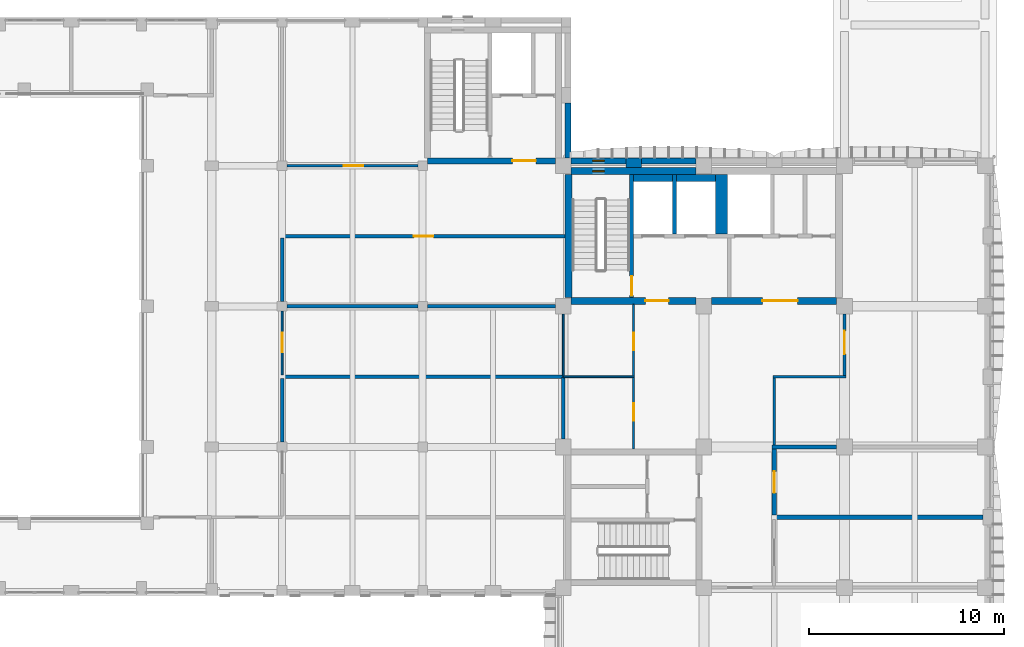
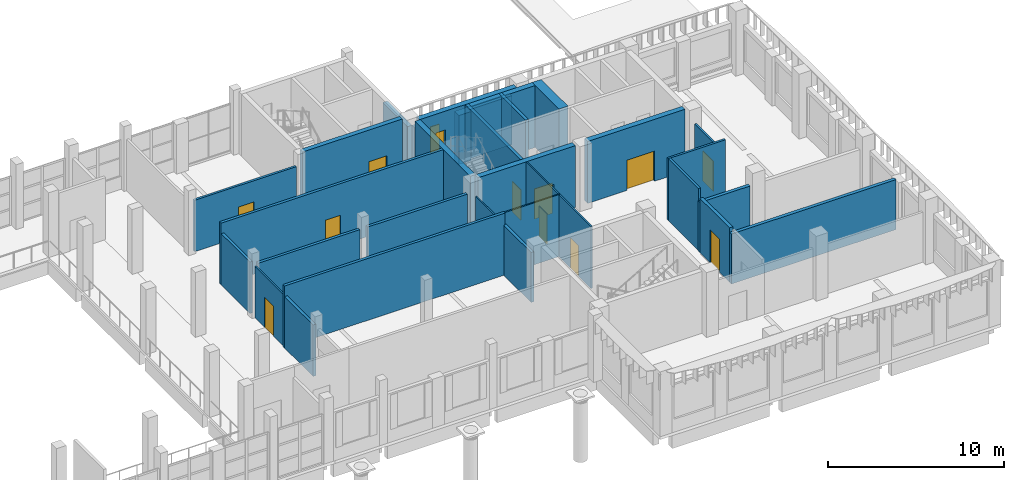
# One storey, part 23 of 59: 33 walls, 11 doors, 2 windows, 13 openings.
"""IFC4 building model written with IfcOpenShell, lengths in metres."""

from ifc_helpers import new_model, si_unit, direction, frame, frame_2d, origin, place, context, subcontext, project, spatial, rectangle, extrude, material, layer, layer_set, type_object, element, fill, save


model = new_model("IFC4")

# Units and contexts
model_context = context("Model", 3, precision=1e-05, world=origin(), true_north=direction((0.0, 1.0)))
body_context = subcontext(model_context, "Body", "Model", "MODEL_VIEW")
ifc_project = project(units=[si_unit("LENGTHUNIT", "METRE"), si_unit("AREAUNIT", "SQUARE_METRE"), si_unit("VOLUMEUNIT", "CUBIC_METRE"), si_unit("PLANEANGLEUNIT", "RADIAN"), si_unit("MASSUNIT", "GRAM", prefix="KILO")], contexts=[model_context])

# Site, building, storey
site_placement = place(None, origin())
site = spatial("IfcSite", under=ifc_project, at=site_placement, CompositionType="ELEMENT")
building_placement = place(site_placement, origin())
building = spatial("IfcBuilding", under=site, at=building_placement, Name="Ussher Court Research Institute", CompositionType="ELEMENT")
storey_placement = place(building_placement, frame((0.0, 0.0, 5.39990234375)))
storey = spatial("IfcBuildingStorey", under=building, at=storey_placement, Name="L01", CompositionType="ELEMENT", Elevation=5.39990234375)

# Walls
ifc_material_1 = material(Name="Plasterboard on steel studs with mineral wool", Category="steel")
ifc_layer_1 = layer(ifc_material_1, 0.179931640625)
ifc_layer_set_1 = layer_set([ifc_layer_1], Name="Plasterboard on steel studs with mineral wool")
wall_type_1 = type_object("IfcWallType", Name="Acoustic twin-stud partition 180", PredefinedType="PARTITIONING", material=ifc_layer_set_1)
wall_1_placement = place(storey_placement, frame((67.7099609375, 22.0, 0.0), z_axis=(0.0, 0.0, 1.0), x_axis=(1.0, 0.0, 0.0)))
element("IfcWall", 1, at=wall_1_placement, inside=storey, type_object=wall_type_1, Name="Partition", PredefinedType="PARTITIONING", context=body_context, shape_type="SweptSolid", body=[
    extrude(rectangle(XDim=14.489990234375, YDim=0.179931640625, at=frame_2d((7.2451171875, 0.0))), origin(), (0.0, 0.0, 1.0), 4.300048828125),
])
wall_2_placement = place(storey_placement, frame((68.050048828125, 25.60009765625, 0.0), z_axis=(0.0, 0.0, 1.0), x_axis=(1.0, 0.0, 0.0)))
element("IfcWall", 2, at=wall_2_placement, inside=storey, type_object=wall_type_1, Name="Partition", PredefinedType="PARTITIONING", context=body_context, shape_type="SweptSolid", body=[
    extrude(rectangle(XDim=6.699951171875, YDim=0.179931640625, at=frame_2d((3.35009765625, 0.0))), origin(), (0.0, 0.0, 1.0), 3.570068359375),
])
wall_3_placement = place(storey_placement, frame((75.25, 25.60009765625, 0.0), z_axis=(0.0, 0.0, 1.0), x_axis=(1.0, 0.0, 0.0)))
element("IfcWall", 3, at=wall_3_placement, inside=storey, type_object=wall_type_1, Name="Partition", PredefinedType="PARTITIONING", context=body_context, shape_type="SweptSolid", body=[
    extrude(rectangle(XDim=6.550048828125, YDim=0.179931640625, at=frame_2d((3.27490234375, 0.0))), origin(), (0.0, 0.0, 1.0), 3.570068359375),
])

# Wall, opening, door
wall_4_placement = place(storey_placement, frame((82.300048828125, 29.199951171875, 0.0), z_axis=(0.0, 0.0, 1.0), x_axis=(-1.0, 0.0, 0.0)))
wall_4 = element("IfcWall", 4, at=wall_4_placement, inside=storey, type_object=wall_type_1, Name="Partition", PredefinedType="PARTITIONING", context=body_context, shape_type="SweptSolid", body=[
    extrude(rectangle(XDim=14.590087890625, YDim=0.179931640625, at=frame_2d((7.294921875, 0.0))), origin(), (0.0, 0.0, 1.0), 4.300048828125),
])
opening_1_placement = place(wall_4_placement, frame((6.75, 0.0, 0.0)))
opening_1 = element("IfcOpeningElement", 5, at=opening_1_placement, cuts=wall_4, Name="Opening D01049", PredefinedType="OPENING", context=body_context, shape_type="SweptSolid", body=[
    extrude(rectangle(XDim=1.0, YDim=2.10009765625, at=frame_2d((0.5, 1.050048828125))), frame((0.0, 0.10009765625, 0.0), z_axis=(0.0, -1.0, 0.0), x_axis=(1.0, 0.0, 0.0)), (0.0, 0.0, 1.0), 0.199951171875),
])
ifc_material_2 = material(Name="Veneered timber door", Category="wood")
door_type_1 = type_object("IfcDoorType", Name="Meeting room door 1000x2100", OperationType="NOTDEFINED", PredefinedType="DOOR", material=ifc_material_2)
door_1_placement = place(opening_1_placement, origin())
door_1 = element("IfcDoor", 6, at=door_1_placement, inside=storey, type_object=door_type_1, Name="Door D01049", OperationType="SINGLE_SWING_LEFT", OverallHeight=2.10009765625, OverallWidth=1.0, PredefinedType="DOOR", context=body_context, shape_type="SweptSolid", body=[
    extrude(rectangle(XDim=1.0, YDim=2.10009765625, at=frame_2d((0.5, 1.050048828125))), frame((0.0, 0.02490234375, 0.0), z_axis=(0.0, -1.0, 0.0), x_axis=(1.0, 0.0, 0.0)), (0.0, 0.0, 1.0), 0.050048828125),
])
fill(opening_1, door_1)

# Walls
for number, where, z_axis, x_axis, name in (
    (7, (67.800048828125, 18.64990234375, 0.0), (0.0, 0.0, 1.0), (0.0, 1.0, 0.0), "Partition"),
    (8, (67.800048828125, 25.85009765625, 0.0), (0.0, 0.0, 1.0), (0.0, 1.0, 0.0), "Partition"),
):
    element("IfcWall", number, at=place(storey_placement, frame(where, z_axis=z_axis, x_axis=x_axis)), inside=storey, type_object=wall_type_1, Name=name, PredefinedType="PARTITIONING", context=body_context, shape_type="SweptSolid", body=[
        extrude(rectangle(XDim=3.260009765625, YDim=0.179931640625, at=frame_2d((1.6298828125, 0.0))), origin(), (0.0, 0.0, 1.0), 3.570068359375),
    ])
wall_5_placement = place(storey_placement, frame((82.199951171875, 18.800048828125, 0.0), z_axis=(0.0, 0.0, 1.0), x_axis=(0.0, 1.0, 0.0)))
element("IfcWall", 9, at=wall_5_placement, inside=storey, type_object=wall_type_1, Name="Partition", PredefinedType="PARTITIONING", context=body_context, shape_type="SweptSolid", body=[
    extrude(rectangle(XDim=3.155029296875, YDim=0.179931640625, at=frame_2d((1.57763671875, 0.0))), origin(), (0.0, 0.0, 1.0), 3.47021484375),
])
ifc_material_3 = material(Name="Limestone facing on blockwork", Category="masonry")
ifc_layer_2 = layer(ifc_material_3, 0.300048828125)
ifc_layer_set_2 = layer_set([ifc_layer_2], Name="Limestone facing on blockwork")
wall_type_2 = type_object("IfcWallType", Name="External wall 300 stair enclosure", PredefinedType="SOLIDWALL", material=ifc_layer_set_2)
wall_6_placement = place(storey_placement, frame((82.449951171875, 36.0, 0.0), z_axis=(0.0, 0.0, 1.0), x_axis=(0.0, -1.0, 0.0)))
element("IfcWall", 10, at=wall_6_placement, inside=storey, type_object=wall_type_2, Name="External wall EW5 L01", PredefinedType="SOLIDWALL", context=body_context, shape_type="SweptSolid", body=[
    extrude(rectangle(XDim=2.800048828125, YDim=0.300048828125, at=frame_2d((1.39990234375, 0.0))), origin(), (0.0, 0.0, 1.0), 3.400146484375),
])

# Wall, opening, window
wall_7_placement = place(storey_placement, frame((82.60009765625, 33.050048828125, 0.0), z_axis=(0.0, 0.0, 1.0), x_axis=(1.0, 0.0, 0.0)))
wall_7 = element("IfcWall", 11, at=wall_7_placement, inside=storey, type_object=wall_type_2, Name="External wall EW5 L01", PredefinedType="SOLIDWALL", context=body_context, shape_type="SweptSolid", body=[
    extrude(rectangle(XDim=2.7998046875, YDim=0.300048828125, at=frame_2d((1.39990234375, 0.0))), origin(), (0.0, 0.0, 1.0), 3.400146484375),
])
opening_2_placement = place(wall_7_placement, frame((1.10009765625, 0.0, 1.199951171875)))
opening_2 = element("IfcOpeningElement", 12, at=opening_2_placement, cuts=wall_7, Name="Opening W25", PredefinedType="OPENING", context=body_context, shape_type="SweptSolid", body=[
    extrude(rectangle(XDim=0.60009765625, YDim=1.800048828125, at=frame_2d((0.300048828125, 0.89990234375))), frame((0.0, 0.16015625, 0.0), z_axis=(0.0, -1.0, 0.0), x_axis=(1.0, 0.0, 0.0)), (0.0, 0.0, 1.0), 0.320068359375),
])
ifc_material_4 = material(Name="Bronze anodised aluminium with double glazing", Category="aluminium")
window_type = type_object("IfcWindowType", Name="Stair light slot window 600x1800 fire-resisting glazing", PartitioningType="SINGLE_PANEL", PredefinedType="WINDOW", material=ifc_material_4)
window_1_placement = place(opening_2_placement, origin())
window_1 = element("IfcWindow", 13, at=window_1_placement, inside=storey, type_object=window_type, Name="Window W25 L01", OverallHeight=1.800048828125, OverallWidth=0.60009765625, PartitioningType="SINGLE_PANEL", PredefinedType="WINDOW", context=body_context, shape_type="SweptSolid", body=[
    extrude(rectangle(XDim=0.60009765625, YDim=1.800048828125, at=frame_2d((0.300048828125, 0.89990234375))), frame((0.0, 0.030029296875, 0.0), z_axis=(0.0, -1.0, 0.0), x_axis=(1.0, 0.0, 0.0)), (0.0, 0.0, 1.0), 0.06005859375),
])
fill(opening_2, window_1)

# Wall
wall_8_placement = place(storey_placement, frame((86.199951171875, 33.050048828125, 0.0), z_axis=(0.0, 0.0, 1.0), x_axis=(1.0, 0.0, 0.0)))
element("IfcWall", 14, at=wall_8_placement, inside=storey, type_object=wall_type_2, Name="External wall EW5 L01", PredefinedType="SOLIDWALL", context=body_context, shape_type="SweptSolid", body=[
    extrude(rectangle(XDim=2.800048828125, YDim=0.300048828125, at=frame_2d((1.39990234375, 0.0))), origin(), (0.0, 0.0, 1.0), 3.400146484375),
])

# Wall, opening, door
ifc_material_5 = material(Name="Plastered blockwork", Category="masonry")
ifc_layer_3 = layer(ifc_material_5, 0.14990234375)
ifc_layer_set_3 = layer_set([ifc_layer_3], Name="Plastered blockwork")
wall_type_3 = type_object("IfcWallType", Name="Fire partition blockwork 150 EI 60", PredefinedType="PARTITIONING", material=ifc_layer_set_3)
wall_9_placement = place(storey_placement, frame((68.050048828125, 32.800048828125, 0.0), z_axis=(0.0, 0.0, 1.0), x_axis=(1.0, 0.0, 0.0)))
wall_9 = element("IfcWall", 15, at=wall_9_placement, inside=storey, type_object=wall_type_3, Name="Fire partition", PredefinedType="PARTITIONING", context=body_context, shape_type="SweptSolid", body=[
    extrude(rectangle(XDim=6.699951171875, YDim=0.14990234375, at=frame_2d((3.35009765625, 0.0))), origin(), (0.0, 0.0, 1.0), 3.570068359375),
])
opening_3_placement = place(wall_9_placement, frame((2.89990234375, 0.0, 0.0)))
opening_3 = element("IfcOpeningElement", 16, at=opening_3_placement, cuts=wall_9, Name="Opening D01047", PredefinedType="OPENING", context=body_context, shape_type="SweptSolid", body=[
    extrude(rectangle(XDim=1.0, YDim=2.10009765625, at=frame_2d((0.5, 1.050048828125))), frame((0.0, 0.0849609375, 0.0), z_axis=(0.0, -1.0, 0.0), x_axis=(1.0, 0.0, 0.0)), (0.0, 0.0, 1.0), 0.169921875),
])
ifc_material_6 = material(Name="Painted steel faced fire door", Category="steel")
door_type_2 = type_object("IfcDoorType", Name="Store door 1000x2100 FD60", OperationType="NOTDEFINED", PredefinedType="DOOR", material=ifc_material_6)
door_2_placement = place(opening_3_placement, origin())
door_2 = element("IfcDoor", 17, at=door_2_placement, inside=storey, type_object=door_type_2, Name="Door D01047", OperationType="SINGLE_SWING_RIGHT", OverallHeight=2.10009765625, OverallWidth=1.0, PredefinedType="DOOR", context=body_context, shape_type="SweptSolid", body=[
    extrude(rectangle(XDim=1.0, YDim=2.10009765625, at=frame_2d((0.5, 1.050048828125))), frame((0.0, 0.02490234375, 0.0), z_axis=(0.0, -1.0, 0.0), x_axis=(1.0, 0.0, 0.0)), (0.0, 0.0, 1.0), 0.050048828125),
])
fill(opening_3, door_2)

# Walls
ifc_material_7 = material(Name="Dense concrete blockwork", Category="masonry")
ifc_layer_4 = layer(ifc_material_7, 0.219970703125)
ifc_layer_set_4 = layer_set([ifc_layer_4], Name="Dense concrete blockwork")
wall_type_4 = type_object("IfcWallType", Name="Hazardous store dense block 220 EI 60", PredefinedType="PARTITIONING", material=ifc_layer_set_4)
wall_10_placement = place(storey_placement, frame((92.889892578125, 14.800048828125, 0.0), z_axis=(0.0, 0.0, 1.0), x_axis=(1.0, 0.0, 0.0)))
element("IfcWall", 18, at=wall_10_placement, inside=storey, type_object=wall_type_4, Name="Fire partition", PredefinedType="PARTITIONING", context=body_context, shape_type="SweptSolid", body=[
    extrude(rectangle(XDim=10.81005859375, YDim=0.219970703125, at=frame_2d((5.405029296875, 0.0))), origin(), (0.0, 0.0, 1.0), 3.47021484375),
])
wall_11_placement = place(storey_placement, frame((92.889892578125, 18.39990234375, 0.0), z_axis=(0.0, 0.0, 1.0), x_axis=(1.0, 0.0, 0.0)))
element("IfcWall", 19, at=wall_11_placement, inside=storey, type_object=wall_type_4, Name="Fire partition", PredefinedType="PARTITIONING", context=body_context, shape_type="SweptSolid", body=[
    extrude(rectangle(XDim=3.31005859375, YDim=0.219970703125, at=frame_2d((1.655029296875, 0.0))), origin(), (0.0, 0.0, 1.0), 3.47021484375),
])

# Wall, opening, door
wall_12_placement = place(storey_placement, frame((93.0, 18.2900390625, 0.0), z_axis=(0.0, 0.0, 1.0), x_axis=(0.0, -1.0, 0.0)))
wall_12 = element("IfcWall", 20, at=wall_12_placement, inside=storey, type_object=wall_type_4, Name="Fire partition", PredefinedType="PARTITIONING", context=body_context, shape_type="SweptSolid", body=[
    extrude(rectangle(XDim=3.380126953125, YDim=0.219970703125, at=frame_2d((1.68994140625, 0.0))), origin(), (0.0, 0.0, 1.0), 3.77001953125),
])
opening_4_placement = place(wall_12_placement, frame((1.139892578125, 0.0, 0.0)))
opening_4 = element("IfcOpeningElement", 21, at=opening_4_placement, cuts=wall_12, Name="Opening D01072", PredefinedType="OPENING", context=body_context, shape_type="SweptSolid", body=[
    extrude(rectangle(XDim=1.10009765625, YDim=2.300048828125, at=frame_2d((0.550048828125, 1.14990234375))), frame((0.0, 0.1201171875, 0.0), z_axis=(0.0, -1.0, 0.0), x_axis=(1.0, 0.0, 0.0)), (0.0, 0.0, 1.0), 0.239990234375),
])
ifc_material_8 = material(Name="Painted steel faced fire door", Category="steel")
door_type_3 = type_object("IfcDoorType", Name="Hazardous store door 1100x2300 FD60", OperationType="NOTDEFINED", PredefinedType="DOOR", material=ifc_material_8)
door_3_placement = place(opening_4_placement, origin())
door_3 = element("IfcDoor", 22, at=door_3_placement, inside=storey, type_object=door_type_3, Name="Door D01072", OperationType="SINGLE_SWING_LEFT", OverallHeight=2.300048828125, OverallWidth=1.10009765625, PredefinedType="DOOR", context=body_context, shape_type="SweptSolid", body=[
    extrude(rectangle(XDim=1.10009765625, YDim=2.300048828125, at=frame_2d((0.550048828125, 1.14990234375))), frame((0.0, 0.02490234375, 0.0), z_axis=(0.0, -1.0, 0.0), x_axis=(1.0, 0.0, 0.0)), (0.0, 0.0, 1.0), 0.050048828125),
])
fill(opening_4, door_3)

# Walls
ifc_material_9 = material(Name="Plastered blockwork", Category="masonry")
ifc_layer_5 = layer(ifc_material_9, 0.139892578125)
ifc_layer_set_5 = layer_set([ifc_layer_5], Name="Plastered blockwork")
wall_type_5 = type_object("IfcWallType", Name="Laboratory blockwork partition 140", PredefinedType="PARTITIONING", material=ifc_layer_set_5)
wall_13_placement = place(storey_placement, frame((92.929931640625, 22.0, 0.0), z_axis=(0.0, 0.0, 1.0), x_axis=(1.0, 0.0, 0.0)))
element("IfcWall", 23, at=wall_13_placement, inside=storey, type_object=wall_type_5, Name="Partition", PredefinedType="PARTITIONING", context=body_context, shape_type="SweptSolid", body=[
    extrude(rectangle(XDim=3.739990234375, YDim=0.139892578125, at=frame_2d((1.8701171875, 0.0))), origin(), (0.0, 0.0, 1.0), 4.300048828125),
])
wall_14_placement = place(storey_placement, frame((93.0, 18.510009765625, 0.0), z_axis=(0.0, 0.0, 1.0), x_axis=(0.0, 1.0, 0.0)))
element("IfcWall", 24, at=wall_14_placement, inside=storey, type_object=wall_type_5, Name="Partition", PredefinedType="PARTITIONING", context=body_context, shape_type="SweptSolid", body=[
    extrude(rectangle(XDim=3.419921875, YDim=0.139892578125, at=frame_2d((1.7099609375, 0.0))), origin(), (0.0, 0.0, 1.0), 4.300048828125),
])

# Wall, opening, door
wall_15_placement = place(storey_placement, frame((96.60009765625, 25.199951171875, 0.0), z_axis=(0.0, 0.0, 1.0), x_axis=(0.0, -1.0, 0.0)))
wall_15 = element("IfcWall", 25, at=wall_15_placement, inside=storey, type_object=wall_type_5, Name="Partition", PredefinedType="PARTITIONING", context=body_context, shape_type="SweptSolid", body=[
    extrude(rectangle(XDim=3.1298828125, YDim=0.139892578125, at=frame_2d((1.56494140625, 0.0))), origin(), (0.0, 0.0, 1.0), 3.47021484375),
])
opening_5_placement = place(wall_15_placement, frame((0.85009765625, 0.0, 0.0)))
opening_5 = element("IfcOpeningElement", 26, at=opening_5_placement, cuts=wall_15, Name="Opening D01077", PredefinedType="OPENING", context=body_context, shape_type="SweptSolid", body=[
    extrude(rectangle(XDim=1.199951171875, YDim=2.10009765625, at=frame_2d((0.60009765625, 1.050048828125))), frame((0.0, 0.080078125, 0.0), z_axis=(0.0, -1.0, 0.0), x_axis=(1.0, 0.0, 0.0)), (0.0, 0.0, 1.0), 0.159912109375),
])
ifc_material_10 = material(Name="Veneered timber door", Category="wood")
door_type_4 = type_object("IfcDoorType", Name="Laboratory door 1200x2100", OperationType="NOTDEFINED", PredefinedType="DOOR", material=ifc_material_10)
door_4_placement = place(opening_5_placement, origin())
door_4 = element("IfcDoor", 27, at=door_4_placement, inside=storey, type_object=door_type_4, Name="Door D01077", OperationType="SINGLE_SWING_LEFT", OverallHeight=2.10009765625, OverallWidth=1.199951171875, PredefinedType="DOOR", context=body_context, shape_type="SweptSolid", body=[
    extrude(rectangle(XDim=1.199951171875, YDim=2.10009765625, at=frame_2d((0.60009765625, 1.050048828125))), frame((0.0, 0.02490234375, 0.0), z_axis=(0.0, -1.0, 0.0), x_axis=(1.0, 0.0, 0.0)), (0.0, 0.0, 1.0), 0.050048828125),
])
fill(opening_5, door_4)

ifc_material_11 = material(Name="Plastered blockwork", Category="masonry")
ifc_layer_6 = layer(ifc_material_11, 0.10009765625)
ifc_layer_set_6 = layer_set([ifc_layer_6], Name="Plastered blockwork")
wall_type_6 = type_object("IfcWallType", Name="Partition plastered blockwork 100", PredefinedType="PARTITIONING", material=ifc_layer_set_6)
wall_16_placement = place(storey_placement, frame((67.800048828125, 25.35009765625, 0.0), z_axis=(0.0, 0.0, 1.0), x_axis=(0.0, -1.0, 0.0)))
wall_16 = element("IfcWall", 28, at=wall_16_placement, inside=storey, type_object=wall_type_6, Name="Partition", PredefinedType="PARTITIONING", context=body_context, shape_type="SweptSolid", body=[
    extrude(rectangle(XDim=3.260009765625, YDim=0.10009765625, at=frame_2d((1.6298828125, 0.0))), origin(), (0.0, 0.0, 1.0), 3.570068359375),
])
opening_6_placement = place(wall_16_placement, frame((1.10009765625, 0.0, 0.0)))
opening_6 = element("IfcOpeningElement", 29, at=opening_6_placement, cuts=wall_16, Name="Opening D01045", PredefinedType="OPENING", context=body_context, shape_type="SweptSolid", body=[
    extrude(rectangle(XDim=1.0, YDim=2.10009765625, at=frame_2d((0.5, 1.050048828125))), frame((0.0, 0.06005859375, 0.0), z_axis=(0.0, -1.0, 0.0), x_axis=(1.0, 0.0, 0.0)), (0.0, 0.0, 1.0), 0.1201171875),
])
ifc_material_12 = material(Name="Veneered timber door", Category="wood")
door_type_5 = type_object("IfcDoorType", Name="Office door 1000x2100", OperationType="NOTDEFINED", PredefinedType="DOOR", material=ifc_material_12)
door_5_placement = place(opening_6_placement, origin())
door_5 = element("IfcDoor", 30, at=door_5_placement, inside=storey, type_object=door_type_5, Name="Door D01045", OperationType="SINGLE_SWING_LEFT", OverallHeight=2.10009765625, OverallWidth=1.0, PredefinedType="DOOR", context=body_context, shape_type="SweptSolid", body=[
    extrude(rectangle(XDim=1.0, YDim=2.10009765625, at=frame_2d((0.5, 1.050048828125))), frame((0.0, 0.02490234375, 0.0), z_axis=(0.0, -1.0, 0.0), x_axis=(1.0, 0.0, 0.0)), (0.0, 0.0, 1.0), 0.050048828125),
])
fill(opening_6, door_5)

# Wall
ifc_material_13 = material(Name="Blockwork with cream render", Category="masonry")
ifc_layer_7 = layer(ifc_material_13, 0.5)
ifc_layer_set_7 = layer_set([ifc_layer_7], Name="Blockwork with cream render")
wall_type_7 = type_object("IfcWallType", Name="Pier 800x500 cream render", PredefinedType="SOLIDWALL", material=ifc_layer_set_7)
wall_17_placement = place(storey_placement, frame((85.39990234375, 32.949951171875, 0.0), z_axis=(0.0, 0.0, 1.0), x_axis=(1.0, 0.0, 0.0)))
element("IfcWall", 31, at=wall_17_placement, inside=storey, type_object=wall_type_7, Name="Pier PR1 L01", PredefinedType="SOLIDWALL", context=body_context, shape_type="SweptSolid", body=[
    extrude(rectangle(XDim=0.800048828125, YDim=0.5, at=frame_2d((0.39990234375, 0.0))), origin(), (0.0, 0.0, 1.0), 3.400146484375),
])

# Wall, opening, door
ifc_material_14 = material(Name="Concrete C35/45", Category="concrete")
ifc_layer_8 = layer(ifc_material_14, 0.199951171875)
ifc_layer_set_8 = layer_set([ifc_layer_8], Name="Concrete C35/45")
wall_type_8 = type_object("IfcWallType", Name="RC core wall 200", PredefinedType="SHEAR", material=ifc_layer_set_8)
wall_18_placement = place(storey_placement, frame((85.699951171875, 26.050048828125, 0.0), z_axis=(0.0, 0.0, 1.0), x_axis=(0.0, 1.0, 0.0)))
wall_18 = element("IfcWall", 32, at=wall_18_placement, inside=storey, type_object=wall_type_8, Name="Core wall T1", PredefinedType="SHEAR", context=body_context, shape_type="SweptSolid", body=[
    extrude(rectangle(XDim=6.300048828125, YDim=0.199951171875, at=frame_2d((3.14990234375, 0.0))), origin(), (0.0, 0.0, 1.0), 4.300048828125),
])
opening_7_placement = place(wall_18_placement, frame((0.10009765625, 0.0, 0.0)))
opening_7 = element("IfcOpeningElement", 33, at=opening_7_placement, cuts=wall_18, Name="Opening D01059", PredefinedType="OPENING", context=body_context, shape_type="SweptSolid", body=[
    extrude(rectangle(XDim=1.0, YDim=2.10009765625, at=frame_2d((0.5, 1.050048828125))), frame((0.0, 0.10986328125, 0.0), z_axis=(0.0, -1.0, 0.0), x_axis=(1.0, 0.0, 0.0)), (0.0, 0.0, 1.0), 0.219970703125),
])
ifc_material_15 = material(Name="Painted steel faced fire door", Category="steel")
door_type_6 = type_object("IfcDoorType", Name="Fire door 1000x2100 FD60", OperationType="NOTDEFINED", PredefinedType="DOOR", material=ifc_material_15)
door_6_placement = place(opening_7_placement, origin())
door_6 = element("IfcDoor", 34, at=door_6_placement, inside=storey, type_object=door_type_6, Name="Door D01059", OperationType="SINGLE_SWING_LEFT", OverallHeight=2.10009765625, OverallWidth=1.0, PredefinedType="DOOR", context=body_context, shape_type="SweptSolid", body=[
    extrude(rectangle(XDim=1.0, YDim=2.10009765625, at=frame_2d((0.5, 1.050048828125))), frame((0.0, 0.02490234375, 0.0), z_axis=(0.0, -1.0, 0.0), x_axis=(1.0, 0.0, 0.0)), (0.0, 0.0, 1.0), 0.050048828125),
])
fill(opening_7, door_6)

# Wall
wall_19_placement = place(storey_placement, frame((87.89990234375, 29.300048828125, 0.0), z_axis=(0.0, 0.0, 1.0), x_axis=(0.0, 1.0, 0.0)))
element("IfcWall", 35, at=wall_19_placement, inside=storey, type_object=wall_type_8, Name="Core wall T1", PredefinedType="SHEAR", context=body_context, shape_type="SweptSolid", body=[
    extrude(rectangle(XDim=3.050048828125, YDim=0.199951171875, at=frame_2d((1.52490234375, 0.0))), origin(), (0.0, 0.0, 1.0), 4.300048828125),
])

# Wall, opening, door
ifc_material_16 = material(Name="Concrete C35/45", Category="concrete")
ifc_layer_9 = layer(ifc_material_16, 0.300048828125)
ifc_layer_set_9 = layer_set([ifc_layer_9], Name="Concrete C35/45")
wall_type_9 = type_object("IfcWallType", Name="RC core wall 300", PredefinedType="SHEAR", material=ifc_layer_set_9)
wall_20_placement = place(storey_placement, frame((75.25, 33.050048828125, 0.0), z_axis=(0.0, 0.0, 1.0), x_axis=(1.0, 0.0, 0.0)))
wall_20 = element("IfcWall", 36, at=wall_20_placement, inside=storey, type_object=wall_type_9, Name="Core wall E1", PredefinedType="SHEAR", context=body_context, shape_type="SweptSolid", body=[
    extrude(rectangle(XDim=6.550048828125, YDim=0.300048828125, at=frame_2d((3.27490234375, 0.0))), origin(), (0.0, 0.0, 1.0), 4.300048828125),
])
opening_8_placement = place(wall_20_placement, frame((4.35009765625, 0.0, 0.0)))
opening_8 = element("IfcOpeningElement", 37, at=opening_8_placement, cuts=wall_20, Name="Opening D01054", PredefinedType="OPENING", context=body_context, shape_type="SweptSolid", body=[
    extrude(rectangle(XDim=1.199951171875, YDim=2.10009765625, at=frame_2d((0.60009765625, 1.050048828125))), frame((0.0, 0.16015625, 0.0), z_axis=(0.0, -1.0, 0.0), x_axis=(1.0, 0.0, 0.0)), (0.0, 0.0, 1.0), 0.320068359375),
])
ifc_material_17 = material(Name="Painted steel faced fire door", Category="steel")
door_type_7 = type_object("IfcDoorType", Name="Fire door 1200x2100 FD60", OperationType="NOTDEFINED", PredefinedType="DOOR", material=ifc_material_17)
door_7_placement = place(opening_8_placement, origin())
door_7 = element("IfcDoor", 38, at=door_7_placement, inside=storey, type_object=door_type_7, Name="Door D01054", OperationType="SINGLE_SWING_RIGHT", OverallHeight=2.10009765625, OverallWidth=1.199951171875, PredefinedType="DOOR", context=body_context, shape_type="SweptSolid", body=[
    extrude(rectangle(XDim=1.199951171875, YDim=2.10009765625, at=frame_2d((0.60009765625, 1.050048828125))), frame((0.0, 0.02490234375, 0.0), z_axis=(0.0, -1.0, 0.0), x_axis=(1.0, 0.0, 0.0)), (0.0, 0.0, 1.0), 0.050048828125),
])
fill(opening_8, door_7)

ifc_material_18 = material(Name="Concrete C35/45", Category="concrete")
ifc_layer_10 = layer(ifc_material_18, 0.35009765625)
ifc_layer_set_10 = layer_set([ifc_layer_10], Name="Concrete C35/45")
wall_type_10 = type_object("IfcWallType", Name="RC core wall 350", PredefinedType="SHEAR", material=ifc_layer_set_10)
wall_21_placement = place(storey_placement, frame((82.60009765625, 25.875, 0.0), z_axis=(0.0, 0.0, 1.0), x_axis=(1.0, 0.0, 0.0)))
wall_21 = element("IfcWall", 39, at=wall_21_placement, inside=storey, type_object=wall_type_10, Name="Core wall T1", PredefinedType="SHEAR", context=body_context, shape_type="SweptSolid", body=[
    extrude(rectangle(XDim=6.39990234375, YDim=0.35009765625, at=frame_2d((3.199951171875, 0.0))), origin(), (0.0, 0.0, 1.0), 4.300048828125),
])
opening_9_placement = place(wall_21_placement, frame((3.800048828125, 0.0, 0.0)))
opening_9 = element("IfcOpeningElement", 40, at=opening_9_placement, cuts=wall_21, Name="Opening D01064", PredefinedType="OPENING", context=body_context, shape_type="SweptSolid", body=[
    extrude(rectangle(XDim=1.199951171875, YDim=2.10009765625, at=frame_2d((0.60009765625, 1.050048828125))), frame((0.0, 0.18505859375, 0.0), z_axis=(0.0, -1.0, 0.0), x_axis=(1.0, 0.0, 0.0)), (0.0, 0.0, 1.0), 0.3701171875),
])
door_8_placement = place(opening_9_placement, origin())
door_8 = element("IfcDoor", 41, at=door_8_placement, inside=storey, type_object=door_type_7, Name="Door D01064", OperationType="SINGLE_SWING_RIGHT", OverallHeight=2.10009765625, OverallWidth=1.199951171875, PredefinedType="DOOR", context=body_context, shape_type="SweptSolid", body=[
    extrude(rectangle(XDim=1.199951171875, YDim=2.10009765625, at=frame_2d((0.60009765625, 1.050048828125))), frame((0.0, 0.02490234375, 0.0), z_axis=(0.0, -1.0, 0.0), x_axis=(1.0, 0.0, 0.0)), (0.0, 0.0, 1.0), 0.050048828125),
])
fill(opening_9, door_8)

wall_22_placement = place(storey_placement, frame((89.800048828125, 25.875, 0.0), z_axis=(0.0, 0.0, 1.0), x_axis=(1.0, 0.0, 0.0)))
wall_22 = element("IfcWall", 42, at=wall_22_placement, inside=storey, type_object=wall_type_10, Name="Core wall T1", PredefinedType="SHEAR", context=body_context, shape_type="SweptSolid", body=[
    extrude(rectangle(XDim=6.39990234375, YDim=0.35009765625, at=frame_2d((3.199951171875, 0.0))), origin(), (0.0, 0.0, 1.0), 4.300048828125),
])
opening_10_placement = place(wall_22_placement, frame((2.60009765625, 0.0, 0.0)))
opening_10 = element("IfcOpeningElement", 43, at=opening_10_placement, cuts=wall_22, Name="Opening D01074", PredefinedType="OPENING", context=body_context, shape_type="SweptSolid", body=[
    extrude(rectangle(XDim=1.800048828125, YDim=2.10009765625, at=frame_2d((0.89990234375, 1.050048828125))), frame((0.0, 0.18505859375, 0.0), z_axis=(0.0, -1.0, 0.0), x_axis=(1.0, 0.0, 0.0)), (0.0, 0.0, 1.0), 0.3701171875),
])
ifc_material_19 = material(Name="Painted steel faced fire door", Category="steel")
door_type_8 = type_object("IfcDoorType", Name="Fire door 1800x2100 FD60 double leaf", OperationType="DOUBLE_DOOR_SINGLE_SWING", PredefinedType="DOOR", material=ifc_material_19)
door_9_placement = place(opening_10_placement, origin())
door_9 = element("IfcDoor", 44, at=door_9_placement, inside=storey, type_object=door_type_8, Name="Door D01074", OperationType="SINGLE_SWING_LEFT", OverallHeight=2.10009765625, OverallWidth=1.800048828125, PredefinedType="DOOR", context=body_context, shape_type="SweptSolid", body=[
    extrude(rectangle(XDim=1.800048828125, YDim=2.10009765625, at=frame_2d((0.89990234375, 1.050048828125))), frame((0.0, 0.02490234375, 0.0), z_axis=(0.0, -1.0, 0.0), x_axis=(1.0, 0.0, 0.0)), (0.0, 0.0, 1.0), 0.050048828125),
])
fill(opening_10, door_9)

# Wall, opening, window
wall_23_placement = place(storey_placement, frame((82.60009765625, 32.52490234375, 0.0), z_axis=(0.0, 0.0, 1.0), x_axis=(1.0, 0.0, 0.0)))
wall_23 = element("IfcWall", 45, at=wall_23_placement, inside=storey, type_object=wall_type_10, Name="Core wall T1", PredefinedType="SHEAR", context=body_context, shape_type="SweptSolid", body=[
    extrude(rectangle(XDim=6.39990234375, YDim=0.35009765625, at=frame_2d((3.199951171875, 0.0))), origin(), (0.0, 0.0, 1.0), 4.300048828125),
])
opening_11_placement = place(wall_23_placement, frame((1.10009765625, 0.0, 1.199951171875)))
opening_11 = element("IfcOpeningElement", 46, at=opening_11_placement, cuts=wall_23, Name="Opening W25", PredefinedType="OPENING", context=body_context, shape_type="SweptSolid", body=[
    extrude(rectangle(XDim=0.60009765625, YDim=1.800048828125, at=frame_2d((0.300048828125, 0.89990234375))), frame((0.0, 0.18505859375, 0.0), z_axis=(0.0, -1.0, 0.0), x_axis=(1.0, 0.0, 0.0)), (0.0, 0.0, 1.0), 0.3701171875),
])
window_2_placement = place(opening_11_placement, origin())
window_2 = element("IfcWindow", 47, at=window_2_placement, inside=storey, type_object=window_type, Name="Window stair light T1 L01", OverallHeight=1.800048828125, OverallWidth=0.60009765625, PartitioningType="SINGLE_PANEL", PredefinedType="WINDOW", context=body_context, shape_type="SweptSolid", body=[
    extrude(rectangle(XDim=0.60009765625, YDim=1.800048828125, at=frame_2d((0.300048828125, 0.89990234375))), frame((0.0, 0.030029296875, 0.0), z_axis=(0.0, -1.0, 0.0), x_axis=(1.0, 0.0, 0.0)), (0.0, 0.0, 1.0), 0.06005859375),
])
fill(opening_11, window_2)

# Walls
wall_24_placement = place(storey_placement, frame((82.47509765625, 26.050048828125, 0.0), z_axis=(0.0, 0.0, 1.0), x_axis=(0.0, 1.0, 0.0)))
element("IfcWall", 48, at=wall_24_placement, inside=storey, type_object=wall_type_10, Name="Core wall T1", PredefinedType="SHEAR", context=body_context, shape_type="SweptSolid", body=[
    extrude(rectangle(XDim=6.300048828125, YDim=0.35009765625, at=frame_2d((3.14990234375, 0.0))), origin(), (0.0, 0.0, 1.0), 4.300048828125),
])
for number, where, z_axis, x_axis, name in (
    (49, (85.800048828125, 32.175048828125, 0.0), (0.0, 0.0, 1.0), (1.0, 0.0, 0.0), "Core wall T1"),
    (50, (88.0, 32.175048828125, 0.0), (0.0, 0.0, 1.0), (1.0, 0.0, 0.0), "Core wall T1"),
):
    element("IfcWall", number, at=place(storey_placement, frame(where, z_axis=z_axis, x_axis=x_axis)), inside=storey, type_object=wall_type_10, Name=name, PredefinedType="SHEAR", context=body_context, shape_type="SweptSolid", body=[
        extrude(rectangle(XDim=2.0, YDim=0.35009765625, at=frame_2d((1.0, 0.0))), origin(), (0.0, 0.0, 1.0), 4.300048828125),
    ])
ifc_material_20 = material(Name="Concrete C35/45", Category="concrete")
ifc_layer_11 = layer(ifc_material_20, 0.60009765625)
ifc_layer_set_11 = layer_set([ifc_layer_11], Name="Concrete C35/45")
wall_type_11 = type_object("IfcWallType", Name="RC core wall 600", PredefinedType="SHEAR", material=ifc_layer_set_11)
wall_25_placement = place(storey_placement, frame((90.300048828125, 29.300048828125, 0.0), z_axis=(0.0, 0.0, 1.0), x_axis=(0.0, 1.0, 0.0)))
element("IfcWall", 51, at=wall_25_placement, inside=storey, type_object=wall_type_11, Name="Core wall T1", PredefinedType="SHEAR", context=body_context, shape_type="SweptSolid", body=[
    extrude(rectangle(XDim=3.050048828125, YDim=0.60009765625, at=frame_2d((1.52490234375, 0.0))), origin(), (0.0, 0.0, 1.0), 4.300048828125),
])
ifc_material_21 = material(Name="Moisture-resistant board on steel studs", Category="steel")
ifc_layer_12 = layer(ifc_material_21, 0.090087890625)
ifc_layer_set_12 = layer_set([ifc_layer_12], Name="Moisture-resistant board on steel studs")
wall_type_12 = type_object("IfcWallType", Name="WC lining partition 90", PredefinedType="PARTITIONING", material=ifc_layer_set_12)
wall_26_placement = place(storey_placement, frame((82.199951171875, 22.0, 0.0), z_axis=(0.0, 0.0, 1.0), x_axis=(1.0, 0.0, 0.0)))
element("IfcWall", 52, at=wall_26_placement, inside=storey, type_object=wall_type_12, Name="Partition", PredefinedType="PARTITIONING", context=body_context, shape_type="SweptSolid", body=[
    extrude(rectangle(XDim=3.64501953125, YDim=0.090087890625, at=frame_2d((1.822509765625, 0.0))), origin(), (0.0, 0.0, 1.0), 4.300048828125),
])
wall_27_placement = place(storey_placement, frame((82.199951171875, 22.044921875, 0.0), z_axis=(0.0, 0.0, 1.0), x_axis=(0.0, 1.0, 0.0)))
element("IfcWall", 53, at=wall_27_placement, inside=storey, type_object=wall_type_12, Name="Partition", PredefinedType="PARTITIONING", context=body_context, shape_type="SweptSolid", body=[
    extrude(rectangle(XDim=3.155029296875, YDim=0.090087890625, at=frame_2d((1.57763671875, 0.0))), origin(), (0.0, 0.0, 1.0), 3.47021484375),
])

# Wall, opening, door
wall_28_placement = place(storey_placement, frame((85.800048828125, 18.300048828125, 0.0), z_axis=(0.0, 0.0, 1.0), x_axis=(0.0, 1.0, 0.0)))
wall_28 = element("IfcWall", 54, at=wall_28_placement, inside=storey, type_object=wall_type_12, Name="Partition", PredefinedType="PARTITIONING", context=body_context, shape_type="SweptSolid", body=[
    extrude(rectangle(XDim=3.655029296875, YDim=0.090087890625, at=frame_2d((1.82763671875, 0.0))), origin(), (0.0, 0.0, 1.0), 4.300048828125),
])
opening_12_placement = place(wall_28_placement, frame((1.449951171875, 0.0, 0.0)))
opening_12 = element("IfcOpeningElement", 55, at=opening_12_placement, cuts=wall_28, Name="Opening D01060", PredefinedType="OPENING", context=body_context, shape_type="SweptSolid", body=[
    extrude(rectangle(XDim=0.89990234375, YDim=2.10009765625, at=frame_2d((0.449951171875, 1.050048828125))), frame((0.0, 0.05517578125, 0.0), z_axis=(0.0, -1.0, 0.0), x_axis=(1.0, 0.0, 0.0)), (0.0, 0.0, 1.0), 0.110107421875),
])
ifc_material_22 = material(Name="Veneered timber door", Category="wood")
door_type_9 = type_object("IfcDoorType", Name="WC door 900x2100", OperationType="NOTDEFINED", PredefinedType="DOOR", material=ifc_material_22)
door_10_placement = place(opening_12_placement, origin())
door_10 = element("IfcDoor", 56, at=door_10_placement, inside=storey, type_object=door_type_9, Name="Door D01060", OperationType="SINGLE_SWING_RIGHT", OverallHeight=2.10009765625, OverallWidth=0.89990234375, PredefinedType="DOOR", context=body_context, shape_type="SweptSolid", body=[
    extrude(rectangle(XDim=0.89990234375, YDim=2.10009765625, at=frame_2d((0.449951171875, 1.050048828125))), frame((0.0, 0.02490234375, 0.0), z_axis=(0.0, -1.0, 0.0), x_axis=(1.0, 0.0, 0.0)), (0.0, 0.0, 1.0), 0.050048828125),
])
fill(opening_12, door_10)

wall_29_placement = place(storey_placement, frame((85.800048828125, 22.044921875, 0.0), z_axis=(0.0, 0.0, 1.0), x_axis=(0.0, 1.0, 0.0)))
wall_29 = element("IfcWall", 57, at=wall_29_placement, inside=storey, type_object=wall_type_12, Name="Partition", PredefinedType="PARTITIONING", context=body_context, shape_type="SweptSolid", body=[
    extrude(rectangle(XDim=3.655029296875, YDim=0.090087890625, at=frame_2d((1.82763671875, 0.0))), origin(), (0.0, 0.0, 1.0), 4.300048828125),
])
opening_13_placement = place(wall_29_placement, frame((1.304931640625, 0.0, 0.0)))
opening_13 = element("IfcOpeningElement", 58, at=opening_13_placement, cuts=wall_29, Name="Opening D01061", PredefinedType="OPENING", context=body_context, shape_type="SweptSolid", body=[
    extrude(rectangle(XDim=0.89990234375, YDim=2.10009765625, at=frame_2d((0.449951171875, 1.050048828125))), frame((0.0, 0.05517578125, 0.0), z_axis=(0.0, -1.0, 0.0), x_axis=(1.0, 0.0, 0.0)), (0.0, 0.0, 1.0), 0.110107421875),
])
door_11_placement = place(opening_13_placement, origin())
door_11 = element("IfcDoor", 59, at=door_11_placement, inside=storey, type_object=door_type_9, Name="Door D01061", OperationType="SINGLE_SWING_LEFT", OverallHeight=2.10009765625, OverallWidth=0.89990234375, PredefinedType="DOOR", context=body_context, shape_type="SweptSolid", body=[
    extrude(rectangle(XDim=0.89990234375, YDim=2.10009765625, at=frame_2d((0.449951171875, 1.050048828125))), frame((0.0, 0.02490234375, 0.0), z_axis=(0.0, -1.0, 0.0), x_axis=(1.0, 0.0, 0.0)), (0.0, 0.0, 1.0), 0.050048828125),
])
fill(opening_13, door_11)

save(model, "model.ifc")
